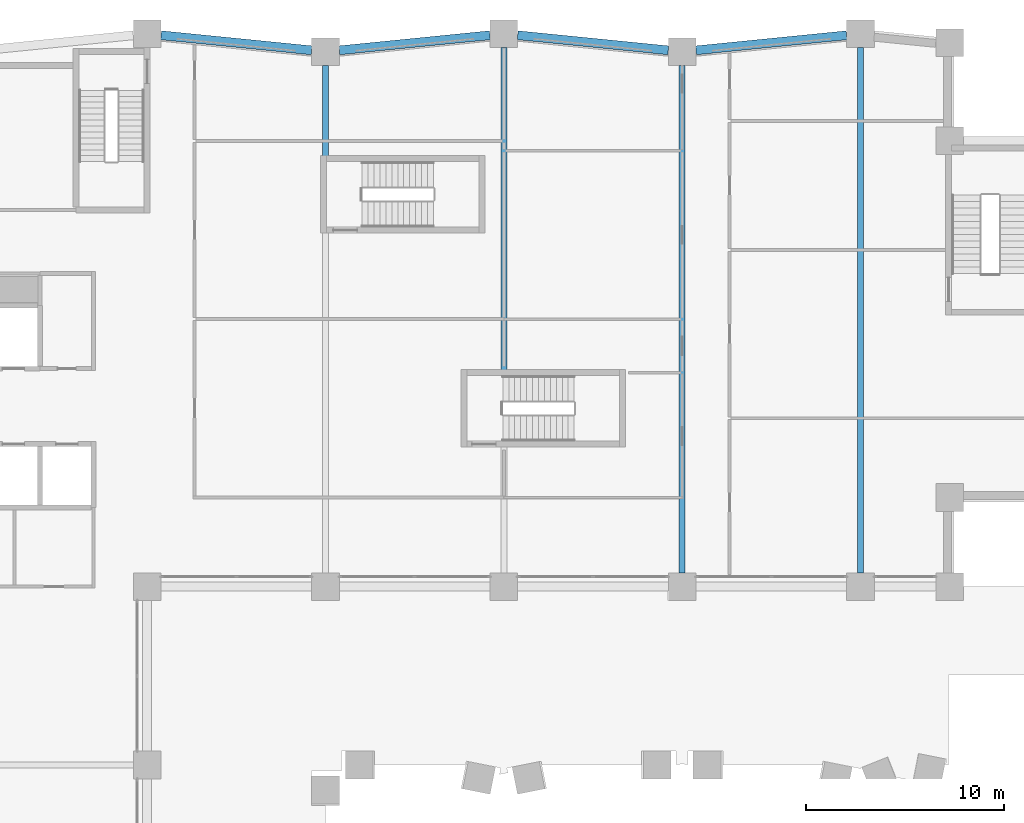
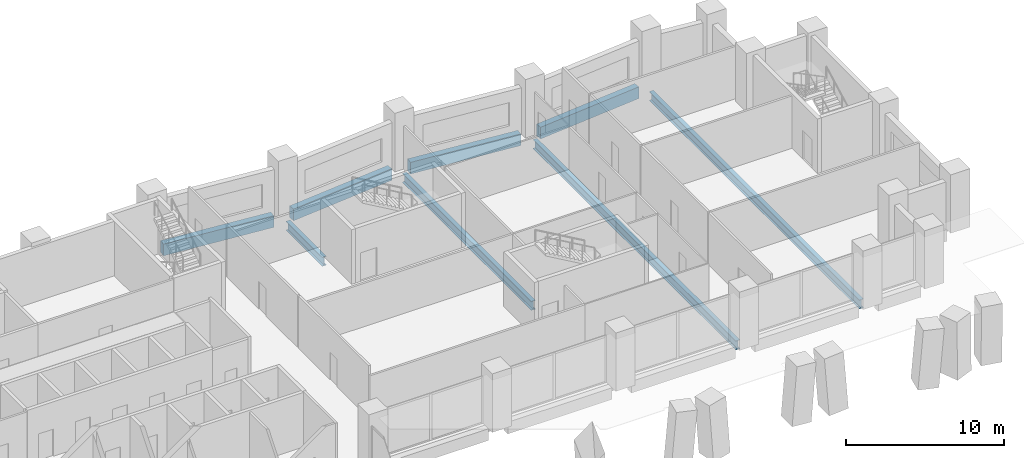
# One storey, part 7 of 18: 8 beams.
"""IFC4 building model written with IfcOpenShell, lengths in metres."""

from ifc_helpers import new_model, si_unit, direction, frame, origin, origin_2d, place, context, subcontext, project, spatial, rectangle, i_section, extrude, material, material_profile, profile_set, type_object, element, save


model = new_model("IFC4")

# Units and contexts
model_context = context("Model", 3, precision=1e-05, world=origin(), true_north=direction((0.0, 1.0)))
body_context = subcontext(model_context, "Body", "Model", "MODEL_VIEW")
ifc_project = project(units=[si_unit("LENGTHUNIT", "METRE"), si_unit("AREAUNIT", "SQUARE_METRE"), si_unit("VOLUMEUNIT", "CUBIC_METRE"), si_unit("PLANEANGLEUNIT", "RADIAN"), si_unit("MASSUNIT", "GRAM", prefix="KILO")], contexts=[model_context])

# Site, building, storey
site_placement = place(None, origin())
site = spatial("IfcSite", under=ifc_project, at=site_placement, CompositionType="ELEMENT")
building_placement = place(site_placement, origin())
building = spatial("IfcBuilding", under=site, at=building_placement, Name="Brondeck Convention Tower", CompositionType="ELEMENT")
storey_placement = place(building_placement, frame((0.0, 0.0, 27.5)))
storey = spatial("IfcBuildingStorey", under=building, at=storey_placement, Name="L04", CompositionType="ELEMENT", Elevation=27.5)

# Beams
ifc_material_1 = material(Name="Concrete C80/95", Category="concrete")
ifc_material_profile_1 = material_profile(ifc_material_1, rectangle(XDim=0.449951171875, YDim=0.89990234375, at=origin_2d()), Name="Edge beam 450x900 Concrete C80/95")
ifc_profile_set_1 = profile_set([ifc_material_profile_1], Name="Concrete C80/95")
beam_type_1 = type_object("IfcBeamType", Name="Edge beam 450x900 Concrete C80/95", PredefinedType="BEAM", material=ifc_profile_set_1)
for number, where, z_axis, x_axis, name in (
    (1, (62.300048828125, 63.830078125, -0.449951171875), (-0.99503719021, -0.099503719021, 0.0), (0.099503719021, -0.99503719021, 0.0), "STR-SP-L04-021"),
    (2, (53.300048828125, 63.070068359375, -0.449951171875), (-0.99503719021, 0.099503719021, 0.0), (-0.099503719021, -0.99503719021, 0.0), "STR-SP-L04-022"),
    (3, (44.300048828125, 63.830078125, -0.449951171875), (-0.99503719021, -0.099503719021, 0.0), (0.099503719021, -0.99503719021, 0.0), "STR-SP-L04-023"),
    (4, (35.300048828125, 63.070068359375, -0.449951171875), (-0.99503719021, 0.099503719021, 0.0), (-0.099503719021, -0.99503719021, 0.0), "STR-SP-L04-024"),
):
    element("IfcBeam", number, at=place(storey_placement, frame(where, z_axis=z_axis, x_axis=x_axis)), inside=storey, type_object=beam_type_1, Name=name, PredefinedType="BEAM", context=body_context, shape_type="SweptSolid", body=[
        extrude(rectangle(XDim=0.449951171875, YDim=0.89990234375, at=origin_2d()), origin(), (0.0, 0.0, 1.0), 7.637939453125),
    ])
ifc_material_2 = material(Name="Steel S355", Category="steel")
ifc_material_profile_2 = material_profile(ifc_material_2, i_section(OverallWidth=0.300048828125, OverallDepth=0.699951171875, WebThickness=0.01708984375, FlangeThickness=0.031982421875, FilletRadius=0.027099609375, at=origin_2d()), Name="HEB 700")
ifc_profile_set_2 = profile_set([ifc_material_profile_2], Name="Steel S355")
beam_type_2 = type_object("IfcBeamType", Name="Girder HEB 700", PredefinedType="BEAM", material=ifc_profile_set_2)
beam_1_placement = place(storey_placement, frame((36.0, 57.719970703125, -0.64990234375), z_axis=(0.0, 1.0, 0.0), x_axis=(-1.0, 0.0, 0.0)))
element("IfcBeam", 5, at=beam_1_placement, inside=storey, type_object=beam_type_2, Name="STR-GR-L04-002", PredefinedType="BEAM", context=body_context, shape_type="SweptSolid", body=[
    extrude(i_section(OverallWidth=0.300048828125, OverallDepth=0.699951171875, WebThickness=0.01708984375, FlangeThickness=0.031982421875, FilletRadius=0.027099609375, at=origin_2d()), origin(), (0.0, 0.0, 1.0), 4.580078125),
])
beam_2_placement = place(storey_placement, frame((45.0, 46.919921875, -0.64990234375), z_axis=(0.0, 1.0, 0.0), x_axis=(-1.0, 0.0, 0.0)))
element("IfcBeam", 6, at=beam_2_placement, inside=storey, type_object=beam_type_2, Name="STR-GR-L04-004", PredefinedType="BEAM", context=body_context, shape_type="SweptSolid", body=[
    extrude(i_section(OverallWidth=0.300048828125, OverallDepth=0.699951171875, WebThickness=0.01708984375, FlangeThickness=0.031982421875, FilletRadius=0.027099609375, at=origin_2d()), origin(), (0.0, 0.0, 1.0), 16.280029296875),
])
beam_3_placement = place(storey_placement, frame((54.0, 36.699951171875, -0.64990234375), z_axis=(0.0, 1.0, 0.0), x_axis=(-1.0, 0.0, 0.0)))
element("IfcBeam", 7, at=beam_3_placement, inside=storey, type_object=beam_type_2, Name="STR-GR-L04-005", PredefinedType="BEAM", context=body_context, shape_type="SweptSolid", body=[
    extrude(i_section(OverallWidth=0.300048828125, OverallDepth=0.699951171875, WebThickness=0.01708984375, FlangeThickness=0.031982421875, FilletRadius=0.027099609375, at=origin_2d()), origin(), (0.0, 0.0, 1.0), 25.60009765625),
])
beam_4_placement = place(storey_placement, frame((63.0, 36.699951171875, -0.64990234375), z_axis=(0.0, 1.0, 0.0), x_axis=(-1.0, 0.0, 0.0)))
element("IfcBeam", 8, at=beam_4_placement, inside=storey, type_object=beam_type_2, Name="STR-GR-L04-006", PredefinedType="BEAM", context=body_context, shape_type="SweptSolid", body=[
    extrude(i_section(OverallWidth=0.300048828125, OverallDepth=0.699951171875, WebThickness=0.01708984375, FlangeThickness=0.031982421875, FilletRadius=0.027099609375, at=origin_2d()), origin(), (0.0, 0.0, 1.0), 26.5),
])

save(model, "model.ifc")
